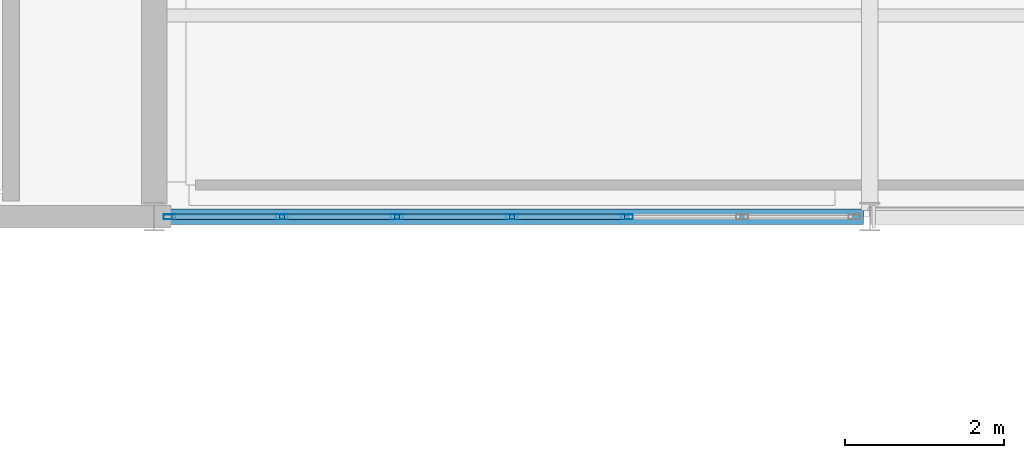
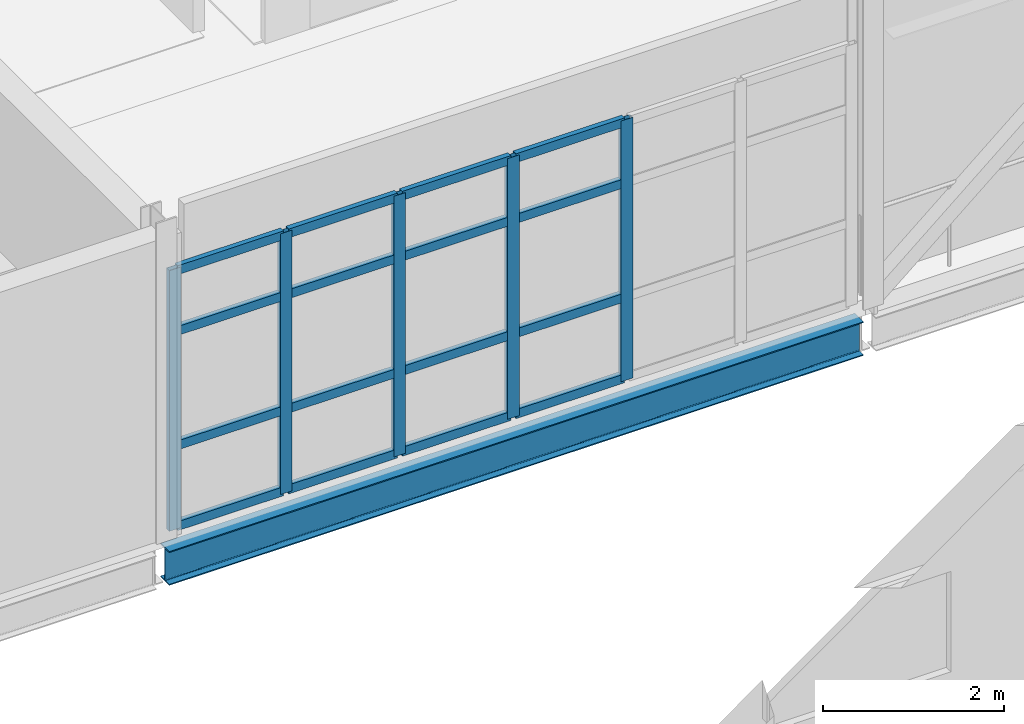
# One storey, part 29 of 174: 21 members, 1 beam, 1 element without a shape of its own.
"""IFC4 building model written with IfcOpenShell, lengths in metres."""

from ifc_helpers import new_model, si_unit, direction, frame, origin, origin_2d, place, context, subcontext, project, spatial, hollow_rectangle, i_section, extrude, material, material_profile, profile_set, type_object, element, aggregate, save


model = new_model("IFC4")

# Units and contexts
model_context = context("Model", 3, precision=1e-05, world=origin(), true_north=direction((0.0, 1.0)))
body_context = subcontext(model_context, "Body", "Model", "MODEL_VIEW")
ifc_project = project(units=[si_unit("LENGTHUNIT", "METRE"), si_unit("AREAUNIT", "SQUARE_METRE"), si_unit("VOLUMEUNIT", "CUBIC_METRE"), si_unit("PLANEANGLEUNIT", "RADIAN"), si_unit("MASSUNIT", "GRAM", prefix="KILO")], contexts=[model_context])

# Site, building, storey
site_placement = place(None, origin())
site = spatial("IfcSite", under=ifc_project, at=site_placement, CompositionType="ELEMENT")
building_placement = place(site_placement, origin())
building = spatial("IfcBuilding", under=site, at=building_placement, Name="Caisbarro Railhouse Central Library", CompositionType="ELEMENT")
storey_placement = place(building_placement, frame((0.0, 0.0, 5.0400390625)))
storey = spatial("IfcBuildingStorey", under=building, at=storey_placement, Name="L01", CompositionType="ELEMENT", Elevation=5.0400390625)

# Beam
ifc_material_1 = material(Name="Steel ASTM A572 Grade 50", Category="steel")
ifc_material_profile_1 = material_profile(ifc_material_1, i_section(OverallWidth=0.18994140625, OverallDepth=0.45703125, WebThickness=0.009033203125, FlangeThickness=0.014404296875, FilletRadius=0.01806640625, at=origin_2d()), Name="W460X74.0")
ifc_profile_set_1 = profile_set([ifc_material_profile_1], Name="Steel ASTM A572 Grade 50")
beam_type = type_object("IfcBeamType", Name="BM-SP01", PredefinedType="SPANDREL", material=ifc_profile_set_1)
beam_placement = place(storey_placement, frame((9.080078125, 30.39990234375, -0.448486328125), z_axis=(1.0, 0.0, 0.0), x_axis=(0.0, 1.0, 0.0)))
element("IfcBeam", 1, at=beam_placement, inside=storey, type_object=beam_type, Name="SP01 beam L01 #791", PredefinedType="SPANDREL", context=body_context, shape_type="SweptSolid", body=[
    extrude(i_section(OverallWidth=0.18994140625, OverallDepth=0.45703125, WebThickness=0.009033203125, FlangeThickness=0.014404296875, FilletRadius=0.01806640625, at=origin_2d()), origin(), (0.0, 0.0, 1.0), 8.83984375),
])

# Curtain wall, members
ifc_material_2 = material(Name="Anodised architectural aluminium", Category="aluminium")
curtain_wall_type = type_object("IfcCurtainWallType", Name="CW-CW02", PredefinedType="NOTDEFINED", material=ifc_material_2)
curtain_wall_placement = place(storey_placement, origin())
curtain_wall = element("IfcCurtainWall", 2, at=curtain_wall_placement, inside=storey, type_object=curtain_wall_type, Name="CW02 curtain wall L01 #34", PredefinedType="NOTDEFINED")
ifc_material_profile_2 = material_profile(ifc_material_2, hollow_rectangle(XDim=0.06494140625, YDim=0.14990234375, WallThickness=0.00390625, at=origin_2d()), Name="ALU-MUL-65X150")
ifc_profile_set_2 = profile_set([ifc_material_profile_2], Name="Anodised architectural aluminium")
member_type_1 = type_object("IfcMemberType", Name="CWM-M02", PredefinedType="MULLION", material=ifc_profile_set_2)
member_1_placement = place(storey_placement, frame((9.1923828125, 30.39990234375, 0.0), z_axis=(0.0, 0.0, 1.0), x_axis=(0.0, 1.0, 0.0)))
member_1 = element("IfcMember", 3, at=member_1_placement, type_object=member_type_1, Name="CW02 mullion 1", PredefinedType="MULLION", context=body_context, shape_type="SweptSolid", body=[
    extrude(hollow_rectangle(XDim=0.06494140625, YDim=0.14990234375, WallThickness=0.00390625, at=origin_2d()), origin(), (0.0, 0.0, 1.0), 3.510009765625),
])
member_2_placement = place(storey_placement, frame((10.606689453125, 30.39990234375, 0.0), z_axis=(0.0, 0.0, 1.0), x_axis=(0.0, 1.0, 0.0)))
member_2 = element("IfcMember", 4, at=member_2_placement, type_object=member_type_1, Name="CW02 mullion 2", PredefinedType="MULLION", context=body_context, shape_type="SweptSolid", body=[
    extrude(hollow_rectangle(XDim=0.06494140625, YDim=0.14990234375, WallThickness=0.00390625, at=origin_2d()), origin(), (0.0, 0.0, 1.0), 3.510009765625),
])
member_3_placement = place(storey_placement, frame((12.05322265625, 30.39990234375, 0.0), z_axis=(0.0, 0.0, 1.0), x_axis=(0.0, 1.0, 0.0)))
member_3 = element("IfcMember", 5, at=member_3_placement, type_object=member_type_1, Name="CW02 mullion 3", PredefinedType="MULLION", context=body_context, shape_type="SweptSolid", body=[
    extrude(hollow_rectangle(XDim=0.06494140625, YDim=0.14990234375, WallThickness=0.00390625, at=origin_2d()), origin(), (0.0, 0.0, 1.0), 3.510009765625),
])
member_4_placement = place(storey_placement, frame((13.5, 30.39990234375, 0.0), z_axis=(0.0, 0.0, 1.0), x_axis=(0.0, 1.0, 0.0)))
member_4 = element("IfcMember", 6, at=member_4_placement, type_object=member_type_1, Name="CW02 mullion 4", PredefinedType="MULLION", context=body_context, shape_type="SweptSolid", body=[
    extrude(hollow_rectangle(XDim=0.06494140625, YDim=0.14990234375, WallThickness=0.00390625, at=origin_2d()), origin(), (0.0, 0.0, 1.0), 3.510009765625),
])
member_5_placement = place(storey_placement, frame((14.94677734375, 30.39990234375, 0.0), z_axis=(0.0, 0.0, 1.0), x_axis=(0.0, 1.0, 0.0)))
member_5 = element("IfcMember", 7, at=member_5_placement, type_object=member_type_1, Name="CW02 mullion 5", PredefinedType="MULLION", context=body_context, shape_type="SweptSolid", body=[
    extrude(hollow_rectangle(XDim=0.06494140625, YDim=0.14990234375, WallThickness=0.00390625, at=origin_2d()), origin(), (0.0, 0.0, 1.0), 3.510009765625),
])
ifc_material_profile_3 = material_profile(ifc_material_2, hollow_rectangle(XDim=0.06494140625, YDim=0.1201171875, WallThickness=0.00341796875, at=origin_2d()), Name="ALU-TRN-65X120")
ifc_profile_set_3 = profile_set([ifc_material_profile_3], Name="Anodised architectural aluminium")
member_type_2 = type_object("IfcMemberType", Name="CWT-T02", PredefinedType="USERDEFINED", material=ifc_profile_set_3)
member_6_placement = place(storey_placement, frame((9.22509765625, 30.39990234375, 0.032470703125), z_axis=(1.0, 0.0, 0.0), x_axis=(0.0, 1.0, 0.0)))
member_6 = element("IfcMember", 8, at=member_6_placement, type_object=member_type_2, Name="CW02 transom 1.1", ObjectType="TRANSOM", PredefinedType="USERDEFINED", context=body_context, shape_type="SweptSolid", body=[
    extrude(hollow_rectangle(XDim=0.06494140625, YDim=0.1201171875, WallThickness=0.00341796875, at=origin_2d()), origin(), (0.0, 0.0, 1.0), 1.34912109375),
])
member_7_placement = place(storey_placement, frame((9.22509765625, 30.39990234375, 1.119873046875), z_axis=(1.0, 0.0, 0.0), x_axis=(0.0, 1.0, 0.0)))
member_7 = element("IfcMember", 9, at=member_7_placement, type_object=member_type_2, Name="CW02 transom 1.2", ObjectType="TRANSOM", PredefinedType="USERDEFINED", context=body_context, shape_type="SweptSolid", body=[
    extrude(hollow_rectangle(XDim=0.06494140625, YDim=0.1201171875, WallThickness=0.00341796875, at=origin_2d()), origin(), (0.0, 0.0, 1.0), 1.34912109375),
])
member_8_placement = place(storey_placement, frame((9.22509765625, 30.39990234375, 2.659912109375), z_axis=(1.0, 0.0, 0.0), x_axis=(0.0, 1.0, 0.0)))
member_8 = element("IfcMember", 10, at=member_8_placement, type_object=member_type_2, Name="CW02 transom 1.3", ObjectType="TRANSOM", PredefinedType="USERDEFINED", context=body_context, shape_type="SweptSolid", body=[
    extrude(hollow_rectangle(XDim=0.06494140625, YDim=0.1201171875, WallThickness=0.00341796875, at=origin_2d()), origin(), (0.0, 0.0, 1.0), 1.34912109375),
])
member_9_placement = place(storey_placement, frame((9.22509765625, 30.39990234375, 3.4775390625), z_axis=(1.0, 0.0, 0.0), x_axis=(0.0, 1.0, 0.0)))
member_9 = element("IfcMember", 11, at=member_9_placement, type_object=member_type_2, Name="CW02 transom 1.4", ObjectType="TRANSOM", PredefinedType="USERDEFINED", context=body_context, shape_type="SweptSolid", body=[
    extrude(hollow_rectangle(XDim=0.06494140625, YDim=0.1201171875, WallThickness=0.00341796875, at=origin_2d()), origin(), (0.0, 0.0, 1.0), 1.34912109375),
])
member_10_placement = place(storey_placement, frame((10.63916015625, 30.39990234375, 0.032470703125), z_axis=(1.0, 0.0, 0.0), x_axis=(0.0, 1.0, 0.0)))
member_10 = element("IfcMember", 12, at=member_10_placement, type_object=member_type_2, Name="CW02 transom 2.1", ObjectType="TRANSOM", PredefinedType="USERDEFINED", context=body_context, shape_type="SweptSolid", body=[
    extrude(hollow_rectangle(XDim=0.06494140625, YDim=0.1201171875, WallThickness=0.00341796875, at=origin_2d()), origin(), (0.0, 0.0, 1.0), 1.381591796875),
])
member_11_placement = place(storey_placement, frame((10.63916015625, 30.39990234375, 1.119873046875), z_axis=(1.0, 0.0, 0.0), x_axis=(0.0, 1.0, 0.0)))
member_11 = element("IfcMember", 13, at=member_11_placement, type_object=member_type_2, Name="CW02 transom 2.2", ObjectType="TRANSOM", PredefinedType="USERDEFINED", context=body_context, shape_type="SweptSolid", body=[
    extrude(hollow_rectangle(XDim=0.06494140625, YDim=0.1201171875, WallThickness=0.00341796875, at=origin_2d()), origin(), (0.0, 0.0, 1.0), 1.381591796875),
])
member_12_placement = place(storey_placement, frame((10.63916015625, 30.39990234375, 2.659912109375), z_axis=(1.0, 0.0, 0.0), x_axis=(0.0, 1.0, 0.0)))
member_12 = element("IfcMember", 14, at=member_12_placement, type_object=member_type_2, Name="CW02 transom 2.3", ObjectType="TRANSOM", PredefinedType="USERDEFINED", context=body_context, shape_type="SweptSolid", body=[
    extrude(hollow_rectangle(XDim=0.06494140625, YDim=0.1201171875, WallThickness=0.00341796875, at=origin_2d()), origin(), (0.0, 0.0, 1.0), 1.381591796875),
])
member_13_placement = place(storey_placement, frame((10.63916015625, 30.39990234375, 3.4775390625), z_axis=(1.0, 0.0, 0.0), x_axis=(0.0, 1.0, 0.0)))
member_13 = element("IfcMember", 15, at=member_13_placement, type_object=member_type_2, Name="CW02 transom 2.4", ObjectType="TRANSOM", PredefinedType="USERDEFINED", context=body_context, shape_type="SweptSolid", body=[
    extrude(hollow_rectangle(XDim=0.06494140625, YDim=0.1201171875, WallThickness=0.00341796875, at=origin_2d()), origin(), (0.0, 0.0, 1.0), 1.381591796875),
])
member_14_placement = place(storey_placement, frame((12.0859375, 30.39990234375, 0.032470703125), z_axis=(1.0, 0.0, 0.0), x_axis=(0.0, 1.0, 0.0)))
member_14 = element("IfcMember", 16, at=member_14_placement, type_object=member_type_2, Name="CW02 transom 3.1", ObjectType="TRANSOM", PredefinedType="USERDEFINED", context=body_context, shape_type="SweptSolid", body=[
    extrude(hollow_rectangle(XDim=0.06494140625, YDim=0.1201171875, WallThickness=0.00341796875, at=origin_2d()), origin(), (0.0, 0.0, 1.0), 1.381591796875),
])
member_15_placement = place(storey_placement, frame((12.0859375, 30.39990234375, 1.119873046875), z_axis=(1.0, 0.0, 0.0), x_axis=(0.0, 1.0, 0.0)))
member_15 = element("IfcMember", 17, at=member_15_placement, type_object=member_type_2, Name="CW02 transom 3.2", ObjectType="TRANSOM", PredefinedType="USERDEFINED", context=body_context, shape_type="SweptSolid", body=[
    extrude(hollow_rectangle(XDim=0.06494140625, YDim=0.1201171875, WallThickness=0.00341796875, at=origin_2d()), origin(), (0.0, 0.0, 1.0), 1.381591796875),
])
member_16_placement = place(storey_placement, frame((12.0859375, 30.39990234375, 2.659912109375), z_axis=(1.0, 0.0, 0.0), x_axis=(0.0, 1.0, 0.0)))
member_16 = element("IfcMember", 18, at=member_16_placement, type_object=member_type_2, Name="CW02 transom 3.3", ObjectType="TRANSOM", PredefinedType="USERDEFINED", context=body_context, shape_type="SweptSolid", body=[
    extrude(hollow_rectangle(XDim=0.06494140625, YDim=0.1201171875, WallThickness=0.00341796875, at=origin_2d()), origin(), (0.0, 0.0, 1.0), 1.381591796875),
])
member_17_placement = place(storey_placement, frame((12.0859375, 30.39990234375, 3.4775390625), z_axis=(1.0, 0.0, 0.0), x_axis=(0.0, 1.0, 0.0)))
member_17 = element("IfcMember", 19, at=member_17_placement, type_object=member_type_2, Name="CW02 transom 3.4", ObjectType="TRANSOM", PredefinedType="USERDEFINED", context=body_context, shape_type="SweptSolid", body=[
    extrude(hollow_rectangle(XDim=0.06494140625, YDim=0.1201171875, WallThickness=0.00341796875, at=origin_2d()), origin(), (0.0, 0.0, 1.0), 1.381591796875),
])
member_18_placement = place(storey_placement, frame((13.532470703125, 30.39990234375, 0.032470703125), z_axis=(1.0, 0.0, 0.0), x_axis=(0.0, 1.0, 0.0)))
member_18 = element("IfcMember", 20, at=member_18_placement, type_object=member_type_2, Name="CW02 transom 4.1", ObjectType="TRANSOM", PredefinedType="USERDEFINED", context=body_context, shape_type="SweptSolid", body=[
    extrude(hollow_rectangle(XDim=0.06494140625, YDim=0.1201171875, WallThickness=0.00341796875, at=origin_2d()), origin(), (0.0, 0.0, 1.0), 1.381591796875),
])
member_19_placement = place(storey_placement, frame((13.532470703125, 30.39990234375, 1.119873046875), z_axis=(1.0, 0.0, 0.0), x_axis=(0.0, 1.0, 0.0)))
member_19 = element("IfcMember", 21, at=member_19_placement, type_object=member_type_2, Name="CW02 transom 4.2", ObjectType="TRANSOM", PredefinedType="USERDEFINED", context=body_context, shape_type="SweptSolid", body=[
    extrude(hollow_rectangle(XDim=0.06494140625, YDim=0.1201171875, WallThickness=0.00341796875, at=origin_2d()), origin(), (0.0, 0.0, 1.0), 1.381591796875),
])
member_20_placement = place(storey_placement, frame((13.532470703125, 30.39990234375, 2.659912109375), z_axis=(1.0, 0.0, 0.0), x_axis=(0.0, 1.0, 0.0)))
member_20 = element("IfcMember", 22, at=member_20_placement, type_object=member_type_2, Name="CW02 transom 4.3", ObjectType="TRANSOM", PredefinedType="USERDEFINED", context=body_context, shape_type="SweptSolid", body=[
    extrude(hollow_rectangle(XDim=0.06494140625, YDim=0.1201171875, WallThickness=0.00341796875, at=origin_2d()), origin(), (0.0, 0.0, 1.0), 1.381591796875),
])
member_21_placement = place(storey_placement, frame((13.532470703125, 30.39990234375, 3.4775390625), z_axis=(1.0, 0.0, 0.0), x_axis=(0.0, 1.0, 0.0)))
member_21 = element("IfcMember", 23, at=member_21_placement, type_object=member_type_2, Name="CW02 transom 4.4", ObjectType="TRANSOM", PredefinedType="USERDEFINED", context=body_context, shape_type="SweptSolid", body=[
    extrude(hollow_rectangle(XDim=0.06494140625, YDim=0.1201171875, WallThickness=0.00341796875, at=origin_2d()), origin(), (0.0, 0.0, 1.0), 1.381591796875),
])
aggregate(curtain_wall, [member_1, member_2, member_3, member_4, member_5, member_6, member_7, member_8, member_9, member_10, member_11, member_12, member_13, member_14, member_15, member_16, member_17, member_18, member_19, member_20, member_21])

save(model, "model.ifc")
